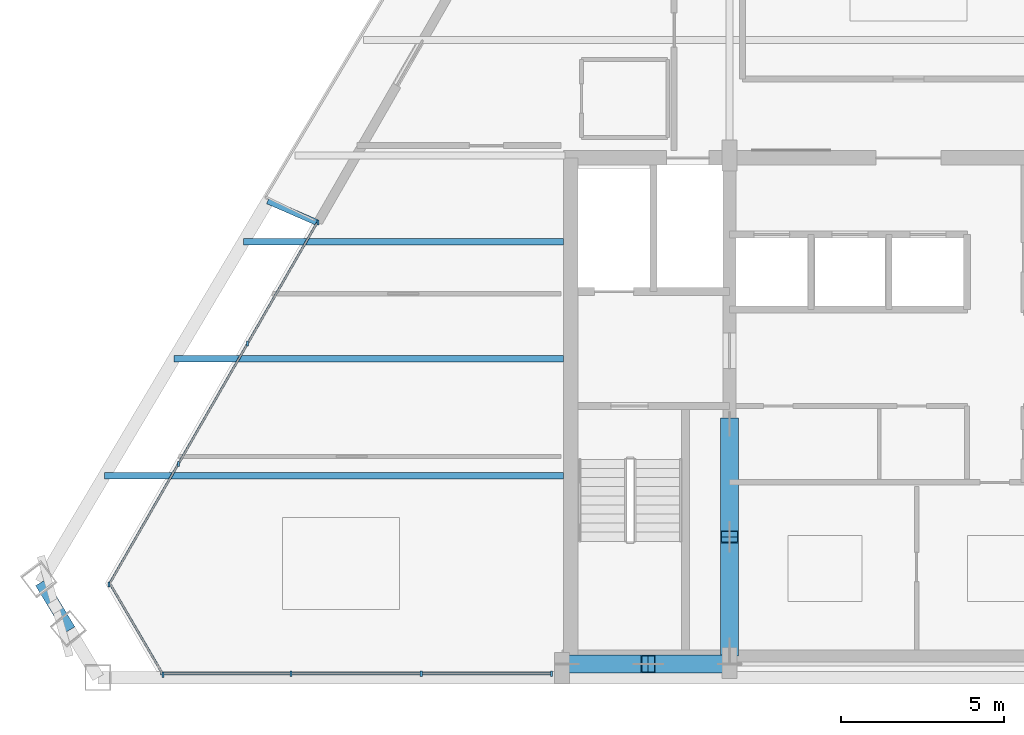
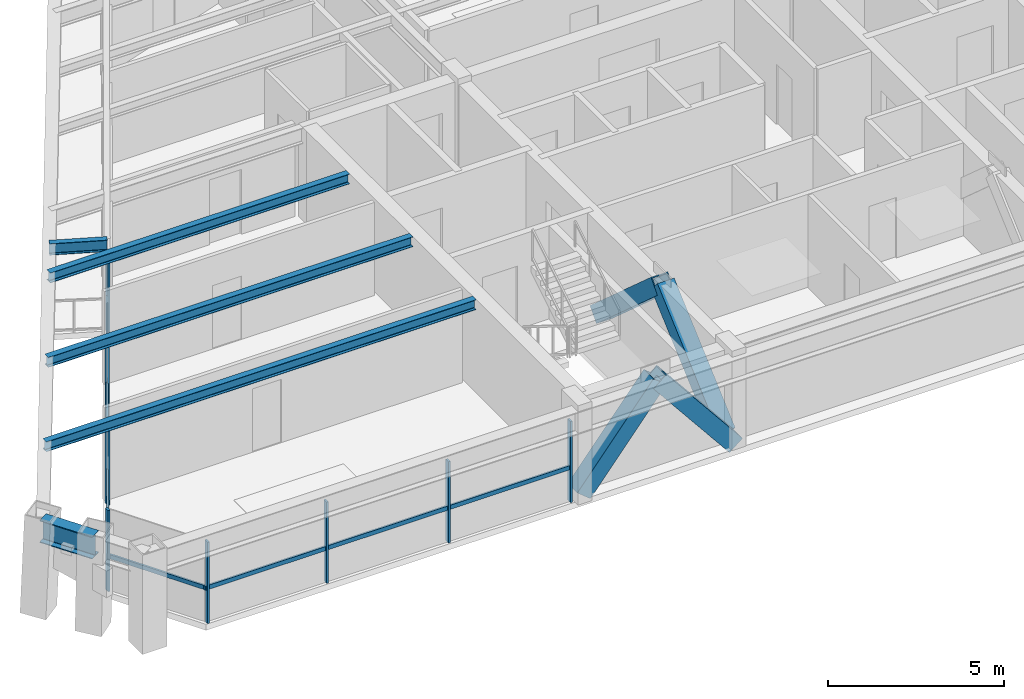
# One storey, part 2 of 13: 19 members, 5 beams, 3 elements without a shape of their own.
"""IFC4 building model written with IfcOpenShell, lengths in metres."""

from ifc_helpers import new_model, si_unit, direction, frame, origin, origin_2d, place, context, subcontext, project, spatial, rectangle, hollow_rectangle, i_section, extrude, source, transform, mapped, material, material_profile, profile_set, type_object, type_shapes, element, aggregate, save


model = new_model("IFC4")

# Units and contexts
model_context = context("Model", 3, precision=1e-05, world=origin(), true_north=direction((0.0, 1.0)))
body_context = subcontext(model_context, "Body", "Model", "MODEL_VIEW")
ifc_project = project(units=[si_unit("LENGTHUNIT", "METRE"), si_unit("AREAUNIT", "SQUARE_METRE"), si_unit("VOLUMEUNIT", "CUBIC_METRE"), si_unit("PLANEANGLEUNIT", "RADIAN"), si_unit("MASSUNIT", "GRAM", prefix="KILO")], contexts=[model_context])

# Site, building, storey
site_placement = place(None, origin())
site = spatial("IfcSite", under=ifc_project, at=site_placement, CompositionType="ELEMENT")
building_placement = place(site_placement, origin())
building = spatial("IfcBuilding", under=site, at=building_placement, Name="Varnakhor Terracotta Tower", CompositionType="ELEMENT")
storey_placement = place(building_placement, frame((0.0, 0.0, 286.800048828125)))
storey = spatial("IfcBuildingStorey", under=building, at=storey_placement, Name="L75", CompositionType="ELEMENT", Elevation=286.800048828125)

# Members
ifc_material_1 = material(Name="Steel S355", Category="steel")
ifc_material_profile_1 = material_profile(ifc_material_1, hollow_rectangle(XDim=0.550048828125, YDim=0.550048828125, WallThickness=0.034912109375, at=origin_2d()), Name="HSS550X550X35")
ifc_profile_set_1 = profile_set([ifc_material_profile_1], Name="Steel S355")
member_type_1 = type_object("IfcMemberType", Name="MBR-MEGA-550", PredefinedType="BRACE", material=ifc_profile_set_1)
shared_shape_1 = source(origin(), body_context, "Body", "SweptSolid", [
    extrude(hollow_rectangle(XDim=0.550048828125, YDim=0.550048828125, WallThickness=0.034912109375, at=origin_2d()), origin(), (0.0, 0.0, 1.0), 4.650146484375),
])
member_1_placement = place(storey_placement, frame((-5.5, 7.800048828125, 0.0), z_axis=(0.0, -0.747316617832, 0.664468112638), x_axis=(1.0, 0.0, 0.0)))
element("IfcMember", 1, at=member_1_placement, inside=storey, type_object=member_type_1, Name="L75 Core Coupled Brace CWWB", PredefinedType="BRACE", context=body_context, shape_type="MappedRepresentation", body=[
    mapped(shared_shape_1, transform((0.0, 0.0, 0.0), scale=1.0)),
])
shared_shape_2 = source(origin(), body_context, "Body", "SweptSolid", [
    extrude(hollow_rectangle(XDim=0.550048828125, YDim=0.550048828125, WallThickness=0.034912109375, at=origin_2d()), origin(), (0.0, 0.0, 1.0), 3.974609375),
])
for number, where, z_axis, x_axis, name in (
    (2, (-10.5, 0.419921875, 0.0), (0.629000299358, 0.0, 0.777405057488), (0.0, 1.0, 0.0), "L75 Core Coupled Brace CSWA"),
    (3, (-5.5, 0.419921875, 0.0), (-0.629000299358, 0.0, 0.777405057488), (0.0, -1.0, 0.0), "L75 Core Coupled Brace CSWB"),
):
    element("IfcMember", number, at=place(storey_placement, frame(where, z_axis=z_axis, x_axis=x_axis)), inside=storey, type_object=member_type_1, Name=name, PredefinedType="BRACE", context=body_context, shape_type="MappedRepresentation", body=[
        mapped(shared_shape_2, transform((0.0, 0.0, 0.0), scale=1.0)),
    ])
shared_shape_3 = source(origin(), body_context, "Body", "SweptSolid", [
    extrude(hollow_rectangle(XDim=0.550048828125, YDim=0.550048828125, WallThickness=0.034912109375, at=origin_2d()), origin(), (0.0, 0.0, 1.0), 4.64990234375),
])
member_2_placement = place(storey_placement, frame((-5.5, 0.85009765625, 0.0), z_axis=(0.0, 0.747293435799, 0.664494184182), x_axis=(-1.0, 0.0, 0.0)))
element("IfcMember", 4, at=member_2_placement, inside=storey, type_object=member_type_1, Name="L75 Core Coupled Brace CWWA", PredefinedType="BRACE", context=body_context, shape_type="MappedRepresentation", body=[
    mapped(shared_shape_3, transform((0.0, 0.0, 0.0), scale=1.0)),
])

# Beams
ifc_material_profile_2 = material_profile(ifc_material_1, i_section(OverallWidth=0.381103515625, OverallDepth=0.77294921875, WebThickness=0.01708984375, FlangeThickness=0.027099609375, FilletRadius=0.01806640625, at=origin_2d()), Name="W30X173")
ifc_profile_set_2 = profile_set([ifc_material_profile_2], Name="Steel S355")
beam_type_1 = type_object("IfcBeamType", Name="BM-W30X173", PredefinedType="BEAM", material=ifc_profile_set_2)
shared_shape_4 = source(origin(), body_context, "Body", "SweptSolid", [
    extrude(i_section(OverallWidth=0.381103515625, OverallDepth=0.77294921875, WebThickness=0.01708984375, FlangeThickness=0.027099609375, FilletRadius=0.01806640625, at=origin_2d()), origin(), (0.0, 0.0, 1.0), 1.70654296875),
])
beam_1_placement = place(storey_placement, frame((-26.666015625, 2.925048828125, 2.853515625), z_axis=(0.515168833157, -0.857088719646, 0.0), x_axis=(0.857088719646, 0.515168833157, 0.0)))
element("IfcBeam", 5, at=beam_1_placement, inside=storey, type_object=beam_type_1, Name="L75 Perimeter Spandrel 7", PredefinedType="BEAM", context=body_context, shape_type="MappedRepresentation", body=[
    mapped(shared_shape_4, transform((0.0, 0.0, 0.0), scale=1.0)),
])
ifc_material_profile_3 = material_profile(ifc_material_1, i_section(OverallWidth=0.202880859375, OverallDepth=0.346923828125, WebThickness=0.0078125, FlangeThickness=0.013427734375, FilletRadius=0.01806640625, at=origin_2d()), Name="W14X43")
ifc_profile_set_3 = profile_set([ifc_material_profile_3], Name="Steel S355")
beam_type_2 = type_object("IfcBeamType", Name="JST-W14X43", PredefinedType="JOIST", material=ifc_profile_set_3)
shared_shape_5 = source(origin(), body_context, "Body", "SweptSolid", [
    extrude(i_section(OverallWidth=0.202880859375, OverallDepth=0.346923828125, WebThickness=0.0078125, FlangeThickness=0.013427734375, FilletRadius=0.01806640625, at=origin_2d()), origin(), (0.0, 0.0, 1.0), 14.118408203125),
])
beam_2_placement = place(storey_placement, frame((-24.718505859375, 6.199951171875, 3.06640625), z_axis=(1.0, 0.0, 0.0), x_axis=(0.0, 1.0, 0.0)))
element("IfcBeam", 6, at=beam_2_placement, inside=storey, type_object=beam_type_2, Name="L75 Floor Joist W1", PredefinedType="JOIST", context=body_context, shape_type="MappedRepresentation", body=[
    mapped(shared_shape_5, transform((0.0, 0.0, 0.0), scale=1.0)),
])
shared_shape_6 = source(origin(), body_context, "Body", "SweptSolid", [
    extrude(i_section(OverallWidth=0.202880859375, OverallDepth=0.346923828125, WebThickness=0.0078125, FlangeThickness=0.013427734375, FilletRadius=0.01806640625, at=origin_2d()), origin(), (0.0, 0.0, 1.0), 11.977783203125),
])
beam_3_placement = place(storey_placement, frame((-22.577880859375, 9.800048828125, 3.06640625), z_axis=(1.0, 0.0, 0.0), x_axis=(0.0, 1.0, 0.0)))
element("IfcBeam", 7, at=beam_3_placement, inside=storey, type_object=beam_type_2, Name="L75 Floor Joist W2", PredefinedType="JOIST", context=body_context, shape_type="MappedRepresentation", body=[
    mapped(shared_shape_6, transform((0.0, 0.0, 0.0), scale=1.0)),
])
shared_shape_7 = source(origin(), body_context, "Body", "SweptSolid", [
    extrude(i_section(OverallWidth=0.202880859375, OverallDepth=0.346923828125, WebThickness=0.0078125, FlangeThickness=0.013427734375, FilletRadius=0.01806640625, at=origin_2d()), origin(), (0.0, 0.0, 1.0), 9.8369140625),
])
beam_4_placement = place(storey_placement, frame((-20.43701171875, 13.39990234375, 3.06640625), z_axis=(1.0, 0.0, 0.0), x_axis=(0.0, 1.0, 0.0)))
element("IfcBeam", 8, at=beam_4_placement, inside=storey, type_object=beam_type_2, Name="L75 Floor Joist W3", PredefinedType="JOIST", context=body_context, shape_type="MappedRepresentation", body=[
    mapped(shared_shape_7, transform((0.0, 0.0, 0.0), scale=1.0)),
])

# Curtain wall, members
ifc_material_2 = material(Name="Anodised Aluminium Curtain Wall System", Category="aluminium")
curtain_wall_type = type_object("IfcCurtainWallType", Name="CW-SYS-HOTEL-LOGGIA", PredefinedType="NOTDEFINED", material=ifc_material_2)
curtain_wall_1_placement = place(storey_placement, origin())
curtain_wall_1 = element("IfcCurtainWall", 9, at=curtain_wall_1_placement, inside=storey, type_object=curtain_wall_type, Name="L75 W Facet Curtain Wall 1", PredefinedType="NOTDEFINED")
ifc_material_3 = material(Name="Anodised Aluminium 6063-T6", Category="aluminium")
ifc_material_profile_4 = material_profile(ifc_material_3, rectangle(XDim=0.06494140625, YDim=0.159912109375, at=origin_2d()), Name="ALU MULLION 65x160")
ifc_profile_set_4 = profile_set([ifc_material_profile_4], Name="Anodised Aluminium 6063-T6")
member_type_2 = type_object("IfcMemberType", Name="CWM-04", PredefinedType="MULLION", material=ifc_profile_set_4)
shared_shape_8 = source(origin(), body_context, "Body", "SweptSolid", [
    extrude(rectangle(XDim=0.06494140625, YDim=0.159912109375, at=origin_2d()), origin(), (0.0, 0.0, 1.0), 2.820068359375),
])
type_shapes(member_type_2, [shared_shape_8])
member_3_placement = place(storey_placement, frame((-24.57080078125, 2.86572265625, 0.0), z_axis=(0.0, 0.0, 1.0), x_axis=(1.0, 0.0, 0.0)))
member_3 = element("IfcMember", 10, at=member_3_placement, type_object=member_type_2, Name="L75 W Facet Curtain Wall 1 Mullion 1", PredefinedType="MULLION", context=body_context, shape_type="MappedRepresentation", body=[
    mapped(shared_shape_8, transform((0.0, 0.0, 0.0), scale=1.0)),
])
member_4_placement = place(storey_placement, frame((-22.440673828125, 6.569580078125, 0.0), z_axis=(0.0, 0.0, 1.0), x_axis=(1.0, 0.0, 0.0)))
member_4 = element("IfcMember", 11, at=member_4_placement, type_object=member_type_2, Name="L75 W Facet Curtain Wall 1 Mullion 2", PredefinedType="MULLION", context=body_context, shape_type="MappedRepresentation", body=[
    mapped(shared_shape_8, transform((0.0, 0.0, 0.0), scale=1.0)),
])
member_5_placement = place(storey_placement, frame((-20.310791015625, 10.2734375, 0.0), z_axis=(0.0, 0.0, 1.0), x_axis=(1.0, 0.0, 0.0)))
member_5 = element("IfcMember", 12, at=member_5_placement, type_object=member_type_2, Name="L75 W Facet Curtain Wall 1 Mullion 3", PredefinedType="MULLION", context=body_context, shape_type="MappedRepresentation", body=[
    mapped(shared_shape_8, transform((0.0, 0.0, 0.0), scale=1.0)),
])
member_6_placement = place(storey_placement, frame((-18.1484375, 13.993408203125, 0.0), z_axis=(0.0, 0.0, 1.0), x_axis=(1.0, 0.0, 0.0)))
member_6 = element("IfcMember", 13, at=member_6_placement, type_object=member_type_2, Name="L75 W Loggia Jamb Closure Mullion 1", PredefinedType="MULLION", context=body_context, shape_type="MappedRepresentation", body=[
    mapped(shared_shape_8, transform((0.0, 0.0, 0.0), scale=1.0)),
])

curtain_wall_2_placement = place(storey_placement, origin())
curtain_wall_2 = element("IfcCurtainWall", 14, at=curtain_wall_2_placement, inside=storey, type_object=curtain_wall_type, Name="L75 South Wing Curtain Wall SSW", PredefinedType="NOTDEFINED")
member_7_placement = place(storey_placement, frame((-10.969970703125, 0.1201171875, 0.0), z_axis=(0.0, 0.0, 1.0), x_axis=(1.0, 0.0, 0.0)))
member_7 = element("IfcMember", 15, at=member_7_placement, type_object=member_type_2, Name="L75 South Wing Curtain Wall SSW Mullion 1", PredefinedType="MULLION", context=body_context, shape_type="MappedRepresentation", body=[
    mapped(shared_shape_8, transform((0.0, 0.0, 0.0), scale=1.0)),
])
member_8_placement = place(storey_placement, frame((-14.9755859375, 0.1201171875, 0.0), z_axis=(0.0, 0.0, 1.0), x_axis=(1.0, 0.0, 0.0)))
member_8 = element("IfcMember", 16, at=member_8_placement, type_object=member_type_2, Name="L75 South Wing Curtain Wall SSW Mullion 2", PredefinedType="MULLION", context=body_context, shape_type="MappedRepresentation", body=[
    mapped(shared_shape_8, transform((0.0, 0.0, 0.0), scale=1.0)),
])
member_9_placement = place(storey_placement, frame((-18.98095703125, 0.1201171875, 0.0), z_axis=(0.0, 0.0, 1.0), x_axis=(1.0, 0.0, 0.0)))
member_9 = element("IfcMember", 17, at=member_9_placement, type_object=member_type_2, Name="L75 South Wing Curtain Wall SSW Mullion 3", PredefinedType="MULLION", context=body_context, shape_type="MappedRepresentation", body=[
    mapped(shared_shape_8, transform((0.0, 0.0, 0.0), scale=1.0)),
])

# Curtain wall, member
curtain_wall_3_placement = place(storey_placement, origin())
curtain_wall_3 = element("IfcCurtainWall", 18, at=curtain_wall_3_placement, inside=storey, type_object=curtain_wall_type, Name="L75 Facet Curtain Wall 6", PredefinedType="NOTDEFINED")
member_10_placement = place(storey_placement, frame((-22.907958984375, 0.08642578125, 0.0), z_axis=(0.0, 0.0, 1.0), x_axis=(1.0, 0.0, 0.0)))
member_10 = element("IfcMember", 19, at=member_10_placement, type_object=member_type_2, Name="L75 Facet Curtain Wall 6 Mullion 1", PredefinedType="MULLION", context=body_context, shape_type="MappedRepresentation", body=[
    mapped(shared_shape_8, transform((0.0, 0.0, 0.0), scale=1.0)),
])

# Member
ifc_material_profile_5 = material_profile(ifc_material_3, rectangle(XDim=0.06494140625, YDim=0.14501953125, at=origin_2d()), Name="ALU TRANSOM 65x145")
ifc_profile_set_5 = profile_set([ifc_material_profile_5], Name="Anodised Aluminium 6063-T6")
member_type_3 = type_object("IfcMemberType", Name="CWT-04", PredefinedType="USERDEFINED", material=ifc_profile_set_5)
shared_shape_9 = source(origin(), body_context, "Body", "SweptSolid", [
    extrude(rectangle(XDim=0.06494140625, YDim=0.14501953125, at=origin_2d()), origin(), (0.0, 0.0, 1.0), 4.272705078125),
])
member_11_placement = place(storey_placement, frame((-24.57080078125, 2.86572265625, 1.184326171875), z_axis=(0.498543050274, 0.866864941628, 0.0), x_axis=(-0.866864941628, 0.498543050274, 0.0)))
member_11 = element("IfcMember", 20, at=member_11_placement, type_object=member_type_3, Name="L75 W Facet Curtain Wall 1 Transom 1", ObjectType="TRANSOM", PredefinedType="USERDEFINED", context=body_context, shape_type="MappedRepresentation", body=[
    mapped(shared_shape_9, transform((0.0, 0.0, 0.0), scale=1.0)),
])

shared_shape_10 = source(origin(), body_context, "Body", "SweptSolid", [
    extrude(rectangle(XDim=0.06494140625, YDim=0.14501953125, at=origin_2d()), origin(), (0.0, 0.0, 1.0), 4.2724609375),
])
member_12_placement = place(storey_placement, frame((-22.440673828125, 6.569580078125, 1.184326171875), z_axis=(0.498500110607, 0.866889635262, 0.0), x_axis=(-0.866889635262, 0.498500110607, 0.0)))
member_12 = element("IfcMember", 21, at=member_12_placement, type_object=member_type_3, Name="L75 W Facet Curtain Wall 1 Transom 2", ObjectType="TRANSOM", PredefinedType="USERDEFINED", context=body_context, shape_type="MappedRepresentation", body=[
    mapped(shared_shape_10, transform((0.0, 0.0, 0.0), scale=1.0)),
])

member_13_placement = place(storey_placement, frame((-20.310791015625, 10.2734375, 1.184326171875), z_axis=(0.498500110607, 0.866889635262, 0.0), x_axis=(-0.866889635262, 0.498500110607, 0.0)))
member_13 = element("IfcMember", 22, at=member_13_placement, type_object=member_type_3, Name="L75 W Facet Curtain Wall 1 Transom 3", ObjectType="TRANSOM", PredefinedType="USERDEFINED", context=body_context, shape_type="MappedRepresentation", body=[
    mapped(shared_shape_10, transform((0.0, 0.0, 0.0), scale=1.0)),
])

aggregate(curtain_wall_1, [member_3, member_11, member_4, member_12, member_5, member_13, member_6])

shared_shape_11 = source(origin(), body_context, "Body", "SweptSolid", [
    extrude(rectangle(XDim=0.06494140625, YDim=0.14501953125, at=origin_2d()), origin(), (0.0, 0.0, 1.0), 4.005615234375),
])
member_14_placement = place(storey_placement, frame((-10.969970703125, 0.1201171875, 1.184326171875), z_axis=(-1.0, 0.0, 0.0), x_axis=(0.0, -1.0, 0.0)))
member_14 = element("IfcMember", 23, at=member_14_placement, type_object=member_type_3, Name="L75 South Wing Curtain Wall SSW Transom 1", ObjectType="TRANSOM", PredefinedType="USERDEFINED", context=body_context, shape_type="MappedRepresentation", body=[
    mapped(shared_shape_11, transform((0.0, 0.0, 0.0), scale=1.0)),
])

shared_shape_12 = source(origin(), body_context, "Body", "SweptSolid", [
    extrude(rectangle(XDim=0.06494140625, YDim=0.14501953125, at=origin_2d()), origin(), (0.0, 0.0, 1.0), 4.00537109375),
])
member_15_placement = place(storey_placement, frame((-14.9755859375, 0.1201171875, 1.184326171875), z_axis=(-1.0, 0.0, 0.0), x_axis=(0.0, -1.0, 0.0)))
member_15 = element("IfcMember", 24, at=member_15_placement, type_object=member_type_3, Name="L75 South Wing Curtain Wall SSW Transom 2", ObjectType="TRANSOM", PredefinedType="USERDEFINED", context=body_context, shape_type="MappedRepresentation", body=[
    mapped(shared_shape_12, transform((0.0, 0.0, 0.0), scale=1.0)),
])

member_16_placement = place(storey_placement, frame((-18.98095703125, 0.1201171875, 1.184326171875), z_axis=(-1.0, 0.0, 0.0), x_axis=(0.0, -1.0, 0.0)))
member_16 = element("IfcMember", 25, at=member_16_placement, type_object=member_type_3, Name="L75 South Wing Curtain Wall SSW Transom 3", ObjectType="TRANSOM", PredefinedType="USERDEFINED", context=body_context, shape_type="MappedRepresentation", body=[
    mapped(shared_shape_12, transform((0.0, 0.0, 0.0), scale=1.0)),
])

aggregate(curtain_wall_2, [member_7, member_14, member_8, member_15, member_9, member_16])

shared_shape_13 = source(origin(), body_context, "Body", "SweptSolid", [
    extrude(rectangle(XDim=0.06494140625, YDim=0.14501953125, at=origin_2d()), origin(), (0.0, 0.0, 1.0), 3.297607421875),
])
member_17_placement = place(storey_placement, frame((-22.907958984375, 0.08642578125, 1.184326171875), z_axis=(-0.504257648919, 0.863553254586, 0.0), x_axis=(-0.863553254586, -0.504257648919, 0.0)))
member_17 = element("IfcMember", 26, at=member_17_placement, type_object=member_type_3, Name="L75 Facet Curtain Wall 6 Transom 1", ObjectType="TRANSOM", PredefinedType="USERDEFINED", context=body_context, shape_type="MappedRepresentation", body=[
    mapped(shared_shape_13, transform((0.0, 0.0, 0.0), scale=1.0)),
])

aggregate(curtain_wall_3, [member_10, member_17])

# Beam
ifc_material_profile_6 = material_profile(ifc_material_1, i_section(OverallWidth=0.179931640625, OverallDepth=0.39990234375, WebThickness=0.008544921875, FlangeThickness=0.013427734375, FilletRadius=0.01806640625, at=origin_2d()), Name="IPE400")
ifc_profile_set_6 = profile_set([ifc_material_profile_6], Name="Steel S355")
beam_type_3 = type_object("IfcBeamType", Name="JST-IPE400", PredefinedType="JOIST", material=ifc_profile_set_6)
shared_shape_14 = source(origin(), body_context, "Body", "SweptSolid", [
    extrude(i_section(OverallWidth=0.179931640625, OverallDepth=0.39990234375, WebThickness=0.008544921875, FlangeThickness=0.013427734375, FilletRadius=0.01806640625, at=origin_2d()), origin(), (0.0, 0.0, 1.0), 1.66015625),
])
beam_5_placement = place(storey_placement, frame((-18.173095703125, 13.985107421875, 3.0400390625), z_axis=(-0.916824378736, 0.3992906943, 0.0), x_axis=(-0.3992906943, -0.916824378736, 0.0)))
element("IfcBeam", 27, at=beam_5_placement, inside=storey, type_object=beam_type_3, Name="L76 W Loggia Tie Beam 1", PredefinedType="JOIST", context=body_context, shape_type="MappedRepresentation", body=[
    mapped(shared_shape_14, transform((0.0, 0.0, 0.0), scale=1.0)),
])

save(model, "model.ifc")
